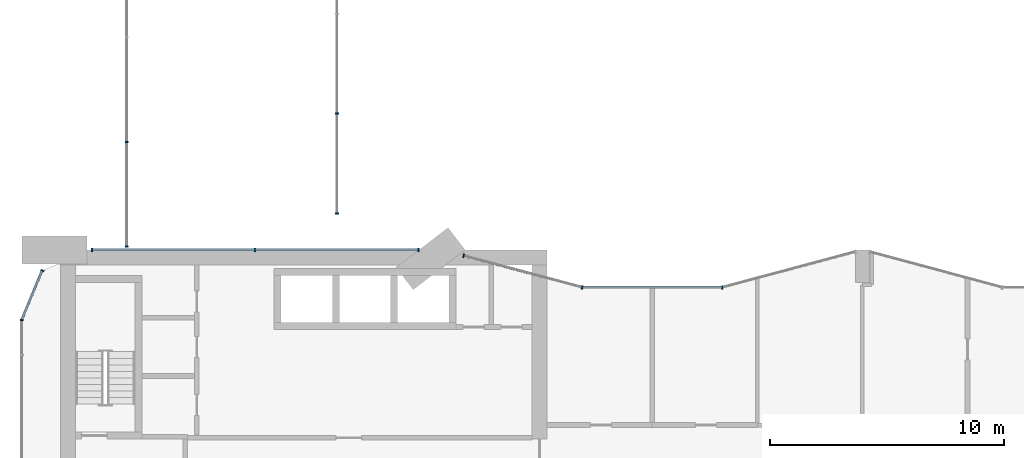
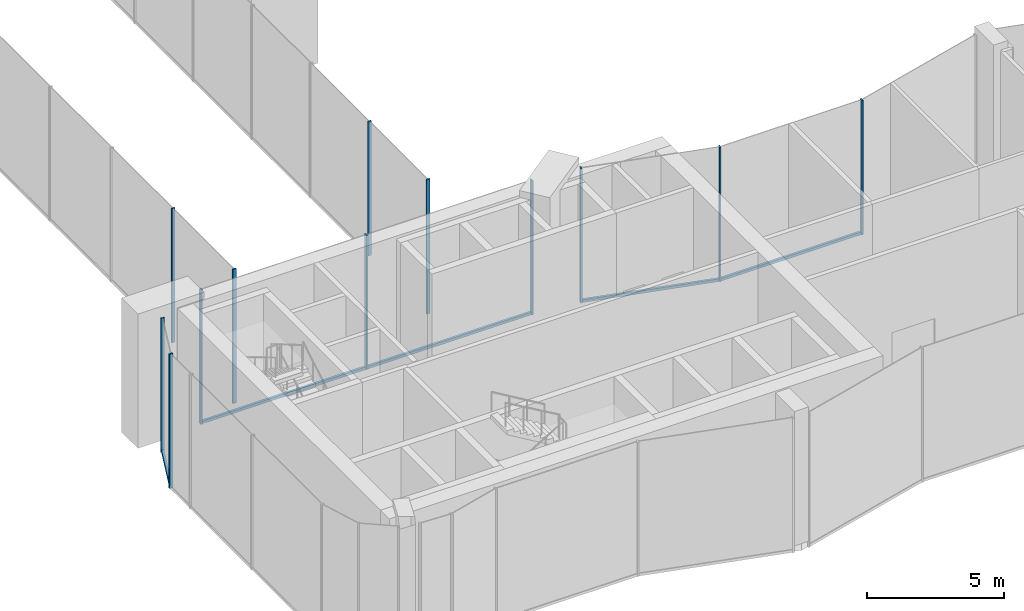
# One storey, part 4 of 19: 16 members, 7 elements without a shape of their own.
"""IFC4 building model written with IfcOpenShell, lengths in metres."""

from ifc_helpers import new_model, si_unit, direction, frame, origin, origin_2d, place, context, subcontext, project, spatial, rectangle, extrude, material, layer, layer_set, material_profile, profile_set, type_object, element, aggregate, save


model = new_model("IFC4")

# Units and contexts
model_context = context("Model", 3, precision=1e-05, world=origin(), true_north=direction((0.0, 1.0)))
body_context = subcontext(model_context, "Body", "Model", "MODEL_VIEW")
ifc_project = project(units=[si_unit("LENGTHUNIT", "METRE"), si_unit("AREAUNIT", "SQUARE_METRE"), si_unit("VOLUMEUNIT", "CUBIC_METRE"), si_unit("PLANEANGLEUNIT", "RADIAN"), si_unit("MASSUNIT", "GRAM", prefix="KILO")], contexts=[model_context])

# Site, building, storey
site_placement = place(None, origin())
site = spatial("IfcSite", under=ifc_project, at=site_placement, CompositionType="ELEMENT")
building_placement = place(site_placement, origin())
building = spatial("IfcBuilding", under=site, at=building_placement, Name="Plateau Cross Towers", CompositionType="ELEMENT")
storey_placement = place(building_placement, frame((0.0, 0.0, 128.60009765625)))
storey = spatial("IfcBuildingStorey", under=building, at=storey_placement, Name="L33", CompositionType="ELEMENT", Elevation=128.60009765625)

# Curtain wall, members
ifc_material_1 = material(Name="Dark low-iron glass", Category="glass")
ifc_layer_1 = layer(ifc_material_1, 0.239990234375)
ifc_layer_set_1 = layer_set([ifc_layer_1], Name="Dark low-iron glass")
curtain_wall_type_1 = type_object("IfcCurtainWallType", Name="Curtain wall flush unitised CW-B", PredefinedType="NOTDEFINED", material=ifc_layer_set_1)
curtain_wall_1_placement = place(storey_placement, origin())
curtain_wall_1 = element("IfcCurtainWall", 1, at=curtain_wall_1_placement, inside=storey, type_object=curtain_wall_type_1, Name="ENV/A/L33/A170_180", PredefinedType="NOTDEFINED")
ifc_material_2 = material(Name="Black anodised aluminium", Category="aluminium")
ifc_material_profile_1 = material_profile(ifc_material_2, rectangle(XDim=0.06005859375, YDim=0.139892578125, at=origin_2d()), Name="MULLION 60x140")
ifc_profile_set_1 = profile_set([ifc_material_profile_1], Name="Black anodised aluminium")
member_type_1 = type_object("IfcMemberType", Name="Mullion 60x140 flush unitised", PredefinedType="MULLION", material=ifc_profile_set_1)
member_1_placement = place(storey_placement, frame((16.981689453125, 18.0, -0.300048828125), z_axis=(0.0, 0.0, 1.0), x_axis=(-1.0, 0.0, 0.0)))
member_1 = element("IfcMember", 2, at=member_1_placement, type_object=member_type_1, Name="CW-B mullion 1", PredefinedType="MULLION", context=body_context, shape_type="SweptSolid", body=[
    extrude(rectangle(XDim=0.06005859375, YDim=0.139892578125, at=origin_2d()), origin(), (0.0, 0.0, 1.0), 6.0),
])
member_2_placement = place(storey_placement, frame((9.99072265625, 18.0, -0.300048828125), z_axis=(0.0, 0.0, 1.0), x_axis=(-1.0, 0.0, 0.0)))
member_2 = element("IfcMember", 3, at=member_2_placement, type_object=member_type_1, Name="CW-B mullion 2", PredefinedType="MULLION", context=body_context, shape_type="SweptSolid", body=[
    extrude(rectangle(XDim=0.06005859375, YDim=0.139892578125, at=origin_2d()), origin(), (0.0, 0.0, 1.0), 6.0),
])
member_3_placement = place(storey_placement, frame((3.0, 18.0, -0.300048828125), z_axis=(0.0, 0.0, 1.0), x_axis=(-1.0, 0.0, 0.0)))
member_3 = element("IfcMember", 4, at=member_3_placement, type_object=member_type_1, Name="CW-B mullion 3", PredefinedType="MULLION", context=body_context, shape_type="SweptSolid", body=[
    extrude(rectangle(XDim=0.06005859375, YDim=0.139892578125, at=origin_2d()), origin(), (0.0, 0.0, 1.0), 6.0),
])

# Curtain wall, member
curtain_wall_2_placement = place(storey_placement, origin())
curtain_wall_2 = element("IfcCurtainWall", 5, at=curtain_wall_2_placement, inside=storey, type_object=curtain_wall_type_1, Name="ENV/A/L33/A9_171", PredefinedType="NOTDEFINED")
member_4_placement = place(storey_placement, frame((0.878662109375, 17.121337890625, -0.300048828125), z_axis=(0.0, 0.0, 1.0), x_axis=(-0.382683612978, -0.923879457699, 0.0)))
member_4 = element("IfcMember", 6, at=member_4_placement, type_object=member_type_1, Name="CW-B mullion 1", PredefinedType="MULLION", context=body_context, shape_type="SweptSolid", body=[
    extrude(rectangle(XDim=0.06005859375, YDim=0.139892578125, at=origin_2d()), origin(), (0.0, 0.0, 1.0), 6.0),
])

curtain_wall_3_placement = place(storey_placement, origin())
curtain_wall_3 = element("IfcCurtainWall", 7, at=curtain_wall_3_placement, inside=storey, type_object=curtain_wall_type_1, Name="ENV/A/L33/A0_150", PredefinedType="NOTDEFINED")
member_5_placement = place(storey_placement, frame((0.0, 15.0, -0.300048828125), z_axis=(0.0, 0.0, 1.0), x_axis=(0.0, -1.0, 0.0)))
member_5 = element("IfcMember", 8, at=member_5_placement, type_object=member_type_1, Name="CW-B mullion 1", PredefinedType="MULLION", context=body_context, shape_type="SweptSolid", body=[
    extrude(rectangle(XDim=0.06005859375, YDim=0.139892578125, at=origin_2d()), origin(), (0.0, 0.0, 1.0), 6.0),
])
aggregate(curtain_wall_3, [member_5])

# Curtain wall, members
curtain_wall_4_placement = place(storey_placement, origin())
curtain_wall_4 = element("IfcCurtainWall", 9, at=curtain_wall_4_placement, inside=storey, type_object=curtain_wall_type_1, Name="ENV/A/L33/sky135_495_135_196", PredefinedType="NOTDEFINED")
member_6_placement = place(storey_placement, frame((13.5, 23.83642578125, 0.0), z_axis=(0.0, 0.0, 1.0), x_axis=(0.0, -1.0, 0.0)))
member_6 = element("IfcMember", 10, at=member_6_placement, type_object=member_type_1, Name="CW-B mullion 7", PredefinedType="MULLION", context=body_context, shape_type="SweptSolid", body=[
    extrude(rectangle(XDim=0.06005859375, YDim=0.139892578125, at=origin_2d()), origin(), (0.0, 0.0, 1.0), 6.0),
])
member_7_placement = place(storey_placement, frame((13.5, 19.559326171875, 0.0), z_axis=(0.0, 0.0, 1.0), x_axis=(0.0, -1.0, 0.0)))
member_7 = element("IfcMember", 11, at=member_7_placement, type_object=member_type_1, Name="CW-B mullion 8", PredefinedType="MULLION", context=body_context, shape_type="SweptSolid", body=[
    extrude(rectangle(XDim=0.06005859375, YDim=0.139892578125, at=origin_2d()), origin(), (0.0, 0.0, 1.0), 6.0),
])
aggregate(curtain_wall_4, [member_6, member_7])

curtain_wall_5_placement = place(storey_placement, origin())
curtain_wall_5 = element("IfcCurtainWall", 12, at=curtain_wall_5_placement, inside=storey, type_object=curtain_wall_type_1, Name="ENV/A/L33/sky45_182_45_495", PredefinedType="NOTDEFINED")
member_8_placement = place(storey_placement, frame((4.5, 18.14990234375, 0.0), z_axis=(0.0, 0.0, 1.0), x_axis=(0.0, 1.0, 0.0)))
member_8 = element("IfcMember", 13, at=member_8_placement, type_object=member_type_1, Name="CW-B mullion 1", PredefinedType="MULLION", context=body_context, shape_type="SweptSolid", body=[
    extrude(rectangle(XDim=0.06005859375, YDim=0.139892578125, at=origin_2d()), origin(), (0.0, 0.0, 1.0), 6.0),
])
member_9_placement = place(storey_placement, frame((4.5, 22.628662109375, 0.0), z_axis=(0.0, 0.0, 1.0), x_axis=(0.0, 1.0, 0.0)))
member_9 = element("IfcMember", 14, at=member_9_placement, type_object=member_type_1, Name="CW-B mullion 2", PredefinedType="MULLION", context=body_context, shape_type="SweptSolid", body=[
    extrude(rectangle(XDim=0.06005859375, YDim=0.139892578125, at=origin_2d()), origin(), (0.0, 0.0, 1.0), 6.0),
])
aggregate(curtain_wall_5, [member_8, member_9])

# Curtain wall, member
ifc_layer_2 = layer(ifc_material_1, 0.260009765625)
ifc_layer_set_2 = layer_set([ifc_layer_2], Name="Dark low-iron glass")
curtain_wall_type_2 = type_object("IfcCurtainWallType", Name="Curtain wall fluted unitised CW-A", PredefinedType="NOTDEFINED", material=ifc_layer_set_2)
curtain_wall_6_placement = place(storey_placement, origin())
curtain_wall_6 = element("IfcCurtainWall", 15, at=curtain_wall_6_placement, inside=storey, type_object=curtain_wall_type_2, Name="ENV/A/L33/A300_164", PredefinedType="NOTDEFINED")
ifc_material_profile_2 = material_profile(ifc_material_2, rectangle(XDim=0.06005859375, YDim=0.159912109375, at=origin_2d()), Name="MULLION 60x160")
ifc_profile_set_2 = profile_set([ifc_material_profile_2], Name="Black anodised aluminium")
member_type_2 = type_object("IfcMemberType", Name="Mullion 60x160 fluted unitised", PredefinedType="MULLION", material=ifc_profile_set_2)
member_10_placement = place(storey_placement, frame((30.0, 16.39306640625, -0.300048828125), z_axis=(0.0, 0.0, 1.0), x_axis=(-1.0, 0.0, 0.0)))
member_10 = element("IfcMember", 16, at=member_10_placement, type_object=member_type_2, Name="CW-A mullion 1", PredefinedType="MULLION", context=body_context, shape_type="SweptSolid", body=[
    extrude(rectangle(XDim=0.06005859375, YDim=0.159912109375, at=origin_2d()), origin(), (0.0, 0.0, 1.0), 6.0),
])

# Curtain wall, members
curtain_wall_7_placement = place(storey_placement, origin())
curtain_wall_7 = element("IfcCurtainWall", 17, at=curtain_wall_7_placement, inside=storey, type_object=curtain_wall_type_2, Name="ENV/A/L33/A240_164", PredefinedType="NOTDEFINED")
member_11_placement = place(storey_placement, frame((24.0, 16.39306640625, -0.300048828125), z_axis=(0.0, 0.0, 1.0), x_axis=(-0.965957983404, 0.258699003279, 0.0)))
member_11 = element("IfcMember", 18, at=member_11_placement, type_object=member_type_2, Name="CW-A mullion 1", PredefinedType="MULLION", context=body_context, shape_type="SweptSolid", body=[
    extrude(rectangle(XDim=0.06005859375, YDim=0.159912109375, at=origin_2d()), origin(), (0.0, 0.0, 1.0), 6.0),
])
member_12_placement = place(storey_placement, frame((18.923095703125, 17.752685546875, -0.300048828125), z_axis=(0.0, 0.0, 1.0), x_axis=(-0.965957983404, 0.258699003279, 0.0)))
member_12 = element("IfcMember", 19, at=member_12_placement, type_object=member_type_2, Name="CW-A mullion 2", PredefinedType="MULLION", context=body_context, shape_type="SweptSolid", body=[
    extrude(rectangle(XDim=0.06005859375, YDim=0.159912109375, at=origin_2d()), origin(), (0.0, 0.0, 1.0), 6.0),
])

# Member
ifc_material_profile_3 = material_profile(ifc_material_2, rectangle(XDim=0.10009765625, YDim=0.1201171875, at=origin_2d()), Name="TRANSOM 100x120")
ifc_profile_set_3 = profile_set([ifc_material_profile_3], Name="Black anodised aluminium")
member_type_3 = type_object("IfcMemberType", Name="Transom 100x120 flush unitised", PredefinedType="USERDEFINED", material=ifc_profile_set_3)
member_13_placement = place(storey_placement, frame((16.981689453125, 18.0, -0.239990234375), z_axis=(-1.0, 0.0, 0.0), x_axis=(0.0, -1.0, 0.0)))
member_13 = element("IfcMember", 20, at=member_13_placement, type_object=member_type_3, Name="CW-B transom", ObjectType="TRANSOM", PredefinedType="USERDEFINED", context=body_context, shape_type="SweptSolid", body=[
    extrude(rectangle(XDim=0.10009765625, YDim=0.1201171875, at=origin_2d()), origin(), (0.0, 0.0, 1.0), 13.981689453125),
])

aggregate(curtain_wall_1, [member_1, member_2, member_3, member_13])

member_14_placement = place(storey_placement, frame((0.878662109375, 17.121337890625, -0.239990234375), z_axis=(-0.382674207535, -0.923883353507, 0.0), x_axis=(0.923883353507, -0.382674207535, 0.0)))
member_14 = element("IfcMember", 21, at=member_14_placement, type_object=member_type_3, Name="CW-B transom", ObjectType="TRANSOM", PredefinedType="USERDEFINED", context=body_context, shape_type="SweptSolid", body=[
    extrude(rectangle(XDim=0.10009765625, YDim=0.1201171875, at=origin_2d()), origin(), (0.0, 0.0, 1.0), 2.296142578125),
])

aggregate(curtain_wall_2, [member_4, member_14])

ifc_material_profile_4 = material_profile(ifc_material_2, rectangle(XDim=0.10009765625, YDim=0.1201171875, at=origin_2d()), Name="TRANSOM 100x120")
ifc_profile_set_4 = profile_set([ifc_material_profile_4], Name="Black anodised aluminium")
member_type_4 = type_object("IfcMemberType", Name="Transom 100x120 fluted unitised", PredefinedType="USERDEFINED", material=ifc_profile_set_4)
member_15_placement = place(storey_placement, frame((30.0, 16.39306640625, -0.239990234375), z_axis=(-1.0, 0.0, 0.0), x_axis=(0.0, -1.0, 0.0)))
member_15 = element("IfcMember", 22, at=member_15_placement, type_object=member_type_4, Name="CW-A transom", ObjectType="TRANSOM", PredefinedType="USERDEFINED", context=body_context, shape_type="SweptSolid", body=[
    extrude(rectangle(XDim=0.10009765625, YDim=0.1201171875, at=origin_2d()), origin(), (0.0, 0.0, 1.0), 6.0),
])

aggregate(curtain_wall_6, [member_10, member_15])

member_16_placement = place(storey_placement, frame((24.0, 16.39306640625, -0.239990234375), z_axis=(-0.965960696348, 0.258688873189, 0.0), x_axis=(-0.258688873189, -0.965960696348, 0.0)))
member_16 = element("IfcMember", 23, at=member_16_placement, type_object=member_type_4, Name="CW-A transom", ObjectType="TRANSOM", PredefinedType="USERDEFINED", context=body_context, shape_type="SweptSolid", body=[
    extrude(rectangle(XDim=0.10009765625, YDim=0.1201171875, at=origin_2d()), origin(), (0.0, 0.0, 1.0), 5.255859375),
])

aggregate(curtain_wall_7, [member_11, member_12, member_16])

save(model, "model.ifc")
